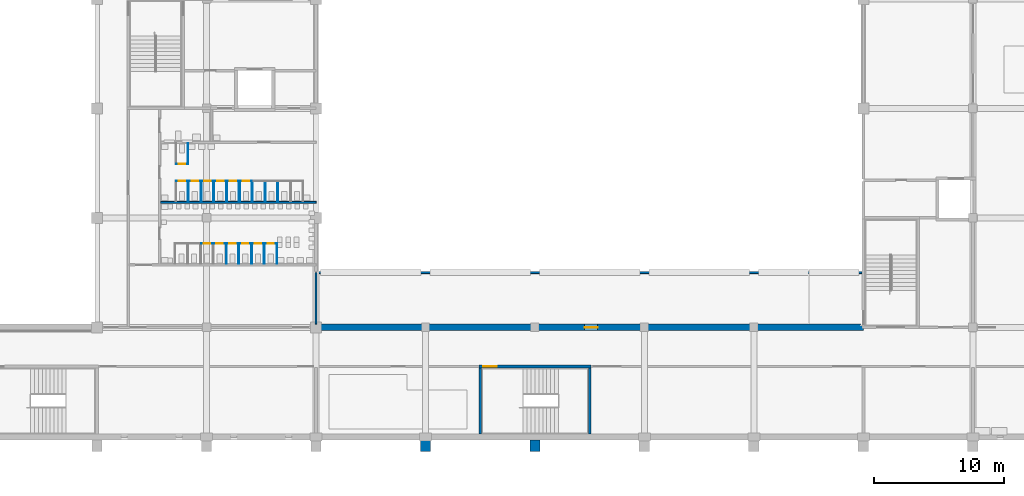
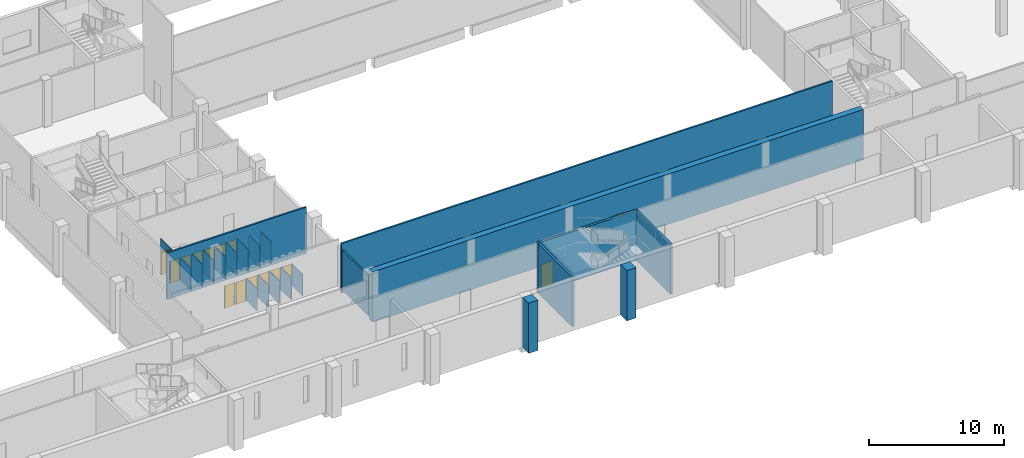
# One storey, part 23 of 64: 47 walls, 15 doors, 15 openings.
"""IFC4 building model written with IfcOpenShell, lengths in metres."""

from ifc_helpers import new_model, si_unit, direction, frame, frame_2d, origin, place, context, subcontext, project, spatial, rectangle, extrude, material, layer, layer_set, type_object, element, fill, save


model = new_model("IFC4")

# Units and contexts
model_context = context("Model", 3, precision=1e-05, world=origin(), true_north=direction((0.0, 1.0)))
body_context = subcontext(model_context, "Body", "Model", "MODEL_VIEW")
ifc_project = project(units=[si_unit("LENGTHUNIT", "METRE"), si_unit("AREAUNIT", "SQUARE_METRE"), si_unit("VOLUMEUNIT", "CUBIC_METRE"), si_unit("PLANEANGLEUNIT", "RADIAN"), si_unit("MASSUNIT", "GRAM", prefix="KILO")], contexts=[model_context])

# Site, building, storey
site_placement = place(None, origin())
site = spatial("IfcSite", under=ifc_project, at=site_placement, CompositionType="ELEMENT")
building_placement = place(site_placement, origin())
building = spatial("IfcBuilding", under=site, at=building_placement, Name="Rulbaag Community and Learning Centre", CompositionType="ELEMENT")
storey_placement = place(building_placement, frame((0.0, 0.0, 5.39990234375)))
storey = spatial("IfcBuildingStorey", under=building, at=storey_placement, Name="L01", CompositionType="ELEMENT", Elevation=5.39990234375)

# Wall, opening, door
ifc_material_1 = material(Name="High pressure laminate", Category="wood")
ifc_layer_1 = layer(ifc_material_1, 0.0400390625)
ifc_layer_set_1 = layer_set([ifc_layer_1], Name="CP-40")
wall_type_1 = type_object("IfcWallType", Name="CP-40", PredefinedType="PARTITIONING", material=ifc_layer_set_1)
wall_1_placement = place(storey_placement, frame((33.179931640625, 14.85009765625, 0.0), z_axis=(0.0, 0.0, 1.0), x_axis=(1.0, 0.0, 0.0)))
wall_1 = element("IfcWall", 1, at=wall_1_placement, inside=storey, type_object=wall_type_1, Name="Cubicle partition", PredefinedType="PARTITIONING", context=body_context, shape_type="SweptSolid", body=[
    extrude(rectangle(XDim=0.900146484375, YDim=0.0400390625, at=frame_2d((0.4501953125, 0.0))), origin(), (0.0, 0.0, 1.0), 2.0),
])
opening_1_placement = place(wall_1_placement, frame((0.050048828125, 0.0, 0.0)))
opening_1 = element("IfcOpeningElement", 2, at=opening_1_placement, cuts=wall_1, Name="Opening L01-D027", PredefinedType="OPENING", context=body_context, shape_type="SweptSolid", body=[
    extrude(rectangle(XDim=0.800048828125, YDim=2.0, at=frame_2d((0.39990234375, 1.0))), frame((0.0, 0.030029296875, 0.0), z_axis=(0.0, -1.0, 0.0), x_axis=(1.0, 0.0, 0.0)), (0.0, 0.0, 1.0), 0.06005859375),
])
door_type_1 = type_object("IfcDoorType", Name="DC-80", OperationType="SINGLE_SWING_LEFT", PredefinedType="DOOR", material=ifc_material_1)
door_1_placement = place(opening_1_placement, origin())
door_1 = element("IfcDoor", 3, at=door_1_placement, inside=storey, type_object=door_type_1, Name="Cubicle door", OperationType="SINGLE_SWING_LEFT", OverallHeight=2.0, OverallWidth=0.800048828125, PredefinedType="DOOR", context=body_context, shape_type="SweptSolid", body=[
    extrude(rectangle(XDim=0.800048828125, YDim=2.0, at=frame_2d((0.39990234375, 1.0))), frame((0.0, 0.019775390625, 0.0), z_axis=(0.0, -1.0, 0.0), x_axis=(1.0, 0.0, 0.0)), (0.0, 0.0, 1.0), 0.03955078125),
])
fill(opening_1, door_1)

wall_2_placement = place(storey_placement, frame((34.159912109375, 14.85009765625, 0.0), z_axis=(0.0, 0.0, 1.0), x_axis=(1.0, 0.0, 0.0)))
wall_2 = element("IfcWall", 4, at=wall_2_placement, inside=storey, type_object=wall_type_1, Name="Cubicle partition", PredefinedType="PARTITIONING", context=body_context, shape_type="SweptSolid", body=[
    extrude(rectangle(XDim=0.900146484375, YDim=0.0400390625, at=frame_2d((0.4501953125, 0.0))), origin(), (0.0, 0.0, 1.0), 2.0),
])
opening_2_placement = place(wall_2_placement, frame((0.050048828125, 0.0, 0.0)))
opening_2 = element("IfcOpeningElement", 5, at=opening_2_placement, cuts=wall_2, Name="Opening L01-D030", PredefinedType="OPENING", context=body_context, shape_type="SweptSolid", body=[
    extrude(rectangle(XDim=0.800048828125, YDim=2.0, at=frame_2d((0.39990234375, 1.0))), frame((0.0, 0.030029296875, 0.0), z_axis=(0.0, -1.0, 0.0), x_axis=(1.0, 0.0, 0.0)), (0.0, 0.0, 1.0), 0.06005859375),
])
door_2_placement = place(opening_2_placement, origin())
door_2 = element("IfcDoor", 6, at=door_2_placement, inside=storey, type_object=door_type_1, Name="Cubicle door", OperationType="SINGLE_SWING_LEFT", OverallHeight=2.0, OverallWidth=0.800048828125, PredefinedType="DOOR", context=body_context, shape_type="SweptSolid", body=[
    extrude(rectangle(XDim=0.800048828125, YDim=2.0, at=frame_2d((0.39990234375, 1.0))), frame((0.0, 0.019775390625, 0.0), z_axis=(0.0, -1.0, 0.0), x_axis=(1.0, 0.0, 0.0)), (0.0, 0.0, 1.0), 0.03955078125),
])
fill(opening_2, door_2)

# Walls
for number, where, z_axis, x_axis, name in (
    (7, (35.1201171875, 13.27490234375, 0.0), (0.0, 0.0, 1.0), (0.0, 1.0, 0.0), "Cubicle partition"),
    (8, (36.06005859375, 13.27490234375, 0.0), (0.0, 0.0, 1.0), (0.0, 1.0, 0.0), "Cubicle partition"),
):
    element("IfcWall", number, at=place(storey_placement, frame(where, z_axis=z_axis, x_axis=x_axis)), inside=storey, type_object=wall_type_1, Name=name, PredefinedType="PARTITIONING", context=body_context, shape_type="SweptSolid", body=[
        extrude(rectangle(XDim=1.59521484375, YDim=0.0400390625, at=frame_2d((0.797607421875, 0.0))), origin(), (0.0, 0.0, 1.0), 2.0),
    ])

# Wall, opening, door
wall_3_placement = place(storey_placement, frame((35.139892578125, 14.85009765625, 0.0), z_axis=(0.0, 0.0, 1.0), x_axis=(1.0, 0.0, 0.0)))
wall_3 = element("IfcWall", 9, at=wall_3_placement, inside=storey, type_object=wall_type_1, Name="Cubicle partition", PredefinedType="PARTITIONING", context=body_context, shape_type="SweptSolid", body=[
    extrude(rectangle(XDim=0.900146484375, YDim=0.0400390625, at=frame_2d((0.4501953125, 0.0))), origin(), (0.0, 0.0, 1.0), 2.0),
])
opening_3_placement = place(wall_3_placement, frame((0.050048828125, 0.0, 0.0)))
opening_3 = element("IfcOpeningElement", 10, at=opening_3_placement, cuts=wall_3, Name="Opening L01-D034", PredefinedType="OPENING", context=body_context, shape_type="SweptSolid", body=[
    extrude(rectangle(XDim=0.800048828125, YDim=2.0, at=frame_2d((0.39990234375, 1.0))), frame((0.0, 0.030029296875, 0.0), z_axis=(0.0, -1.0, 0.0), x_axis=(1.0, 0.0, 0.0)), (0.0, 0.0, 1.0), 0.06005859375),
])
door_3_placement = place(opening_3_placement, origin())
door_3 = element("IfcDoor", 11, at=door_3_placement, inside=storey, type_object=door_type_1, Name="Cubicle door", OperationType="SINGLE_SWING_LEFT", OverallHeight=2.0, OverallWidth=0.800048828125, PredefinedType="DOOR", context=body_context, shape_type="SweptSolid", body=[
    extrude(rectangle(XDim=0.800048828125, YDim=2.0, at=frame_2d((0.39990234375, 1.0))), frame((0.0, 0.019775390625, 0.0), z_axis=(0.0, -1.0, 0.0), x_axis=(1.0, 0.0, 0.0)), (0.0, 0.0, 1.0), 0.03955078125),
])
fill(opening_3, door_3)

# Walls
for number, where, z_axis, x_axis, name in (
    (12, (36.10009765625, 13.27490234375, 0.0), (0.0, 0.0, 1.0), (0.0, 1.0, 0.0), "Cubicle partition"),
    (13, (37.0400390625, 13.27490234375, 0.0), (0.0, 0.0, 1.0), (0.0, 1.0, 0.0), "Cubicle partition"),
):
    element("IfcWall", number, at=place(storey_placement, frame(where, z_axis=z_axis, x_axis=x_axis)), inside=storey, type_object=wall_type_1, Name=name, PredefinedType="PARTITIONING", context=body_context, shape_type="SweptSolid", body=[
        extrude(rectangle(XDim=1.59521484375, YDim=0.0400390625, at=frame_2d((0.797607421875, 0.0))), origin(), (0.0, 0.0, 1.0), 2.0),
    ])

# Wall, opening, door
wall_4_placement = place(storey_placement, frame((36.1201171875, 14.85009765625, 0.0), z_axis=(0.0, 0.0, 1.0), x_axis=(1.0, 0.0, 0.0)))
wall_4 = element("IfcWall", 14, at=wall_4_placement, inside=storey, type_object=wall_type_1, Name="Cubicle partition", PredefinedType="PARTITIONING", context=body_context, shape_type="SweptSolid", body=[
    extrude(rectangle(XDim=0.89990234375, YDim=0.0400390625, at=frame_2d((0.449951171875, 0.0))), origin(), (0.0, 0.0, 1.0), 2.0),
])
opening_4_placement = place(wall_4_placement, frame((0.050048828125, 0.0, 0.0)))
opening_4 = element("IfcOpeningElement", 15, at=opening_4_placement, cuts=wall_4, Name="Opening L01-D036", PredefinedType="OPENING", context=body_context, shape_type="SweptSolid", body=[
    extrude(rectangle(XDim=0.800048828125, YDim=2.0, at=frame_2d((0.39990234375, 1.0))), frame((0.0, 0.030029296875, 0.0), z_axis=(0.0, -1.0, 0.0), x_axis=(1.0, 0.0, 0.0)), (0.0, 0.0, 1.0), 0.06005859375),
])
door_4_placement = place(opening_4_placement, origin())
door_4 = element("IfcDoor", 16, at=door_4_placement, inside=storey, type_object=door_type_1, Name="Cubicle door", OperationType="SINGLE_SWING_LEFT", OverallHeight=2.0, OverallWidth=0.800048828125, PredefinedType="DOOR", context=body_context, shape_type="SweptSolid", body=[
    extrude(rectangle(XDim=0.800048828125, YDim=2.0, at=frame_2d((0.39990234375, 1.0))), frame((0.0, 0.019775390625, 0.0), z_axis=(0.0, -1.0, 0.0), x_axis=(1.0, 0.0, 0.0)), (0.0, 0.0, 1.0), 0.03955078125),
])
fill(opening_4, door_4)

# Walls
for number, where, z_axis, x_axis, name in (
    (17, (37.080078125, 13.27490234375, 0.0), (0.0, 0.0, 1.0), (0.0, 1.0, 0.0), "Cubicle partition"),
    (18, (38.02001953125, 13.27490234375, 0.0), (0.0, 0.0, 1.0), (0.0, 1.0, 0.0), "Cubicle partition"),
):
    element("IfcWall", number, at=place(storey_placement, frame(where, z_axis=z_axis, x_axis=x_axis)), inside=storey, type_object=wall_type_1, Name=name, PredefinedType="PARTITIONING", context=body_context, shape_type="SweptSolid", body=[
        extrude(rectangle(XDim=1.59521484375, YDim=0.0400390625, at=frame_2d((0.797607421875, 0.0))), origin(), (0.0, 0.0, 1.0), 2.0),
    ])

# Wall, opening, door
wall_5_placement = place(storey_placement, frame((37.10009765625, 14.85009765625, 0.0), z_axis=(0.0, 0.0, 1.0), x_axis=(1.0, 0.0, 0.0)))
wall_5 = element("IfcWall", 19, at=wall_5_placement, inside=storey, type_object=wall_type_1, Name="Cubicle partition", PredefinedType="PARTITIONING", context=body_context, shape_type="SweptSolid", body=[
    extrude(rectangle(XDim=0.89990234375, YDim=0.0400390625, at=frame_2d((0.449951171875, 0.0))), origin(), (0.0, 0.0, 1.0), 2.0),
])
opening_5_placement = place(wall_5_placement, frame((0.050048828125, 0.0, 0.0)))
opening_5 = element("IfcOpeningElement", 20, at=opening_5_placement, cuts=wall_5, Name="Opening L01-D040", PredefinedType="OPENING", context=body_context, shape_type="SweptSolid", body=[
    extrude(rectangle(XDim=0.800048828125, YDim=2.0, at=frame_2d((0.39990234375, 1.0))), frame((0.0, 0.030029296875, 0.0), z_axis=(0.0, -1.0, 0.0), x_axis=(1.0, 0.0, 0.0)), (0.0, 0.0, 1.0), 0.06005859375),
])
door_5_placement = place(opening_5_placement, origin())
door_5 = element("IfcDoor", 21, at=door_5_placement, inside=storey, type_object=door_type_1, Name="Cubicle door", OperationType="SINGLE_SWING_LEFT", OverallHeight=2.0, OverallWidth=0.800048828125, PredefinedType="DOOR", context=body_context, shape_type="SweptSolid", body=[
    extrude(rectangle(XDim=0.800048828125, YDim=2.0, at=frame_2d((0.39990234375, 1.0))), frame((0.0, 0.019775390625, 0.0), z_axis=(0.0, -1.0, 0.0), x_axis=(1.0, 0.0, 0.0)), (0.0, 0.0, 1.0), 0.03955078125),
])
fill(opening_5, door_5)

# Walls
for number, where, z_axis, x_axis, name in (
    (22, (38.06005859375, 13.27490234375, 0.0), (0.0, 0.0, 1.0), (0.0, 1.0, 0.0), "Cubicle partition"),
    (23, (39.0, 13.27490234375, 0.0), (0.0, 0.0, 1.0), (0.0, 1.0, 0.0), "Cubicle partition"),
):
    element("IfcWall", number, at=place(storey_placement, frame(where, z_axis=z_axis, x_axis=x_axis)), inside=storey, type_object=wall_type_1, Name=name, PredefinedType="PARTITIONING", context=body_context, shape_type="SweptSolid", body=[
        extrude(rectangle(XDim=1.59521484375, YDim=0.0400390625, at=frame_2d((0.797607421875, 0.0))), origin(), (0.0, 0.0, 1.0), 2.0),
    ])

# Wall, opening, door
wall_6_placement = place(storey_placement, frame((38.080078125, 14.85009765625, 0.0), z_axis=(0.0, 0.0, 1.0), x_axis=(1.0, 0.0, 0.0)))
wall_6 = element("IfcWall", 24, at=wall_6_placement, inside=storey, type_object=wall_type_1, Name="Cubicle partition", PredefinedType="PARTITIONING", context=body_context, shape_type="SweptSolid", body=[
    extrude(rectangle(XDim=0.89990234375, YDim=0.0400390625, at=frame_2d((0.449951171875, 0.0))), origin(), (0.0, 0.0, 1.0), 2.0),
])
opening_6_placement = place(wall_6_placement, frame((0.050048828125, 0.0, 0.0)))
opening_6 = element("IfcOpeningElement", 25, at=opening_6_placement, cuts=wall_6, Name="Opening L01-D044", PredefinedType="OPENING", context=body_context, shape_type="SweptSolid", body=[
    extrude(rectangle(XDim=0.800048828125, YDim=2.0, at=frame_2d((0.39990234375, 1.0))), frame((0.0, 0.030029296875, 0.0), z_axis=(0.0, -1.0, 0.0), x_axis=(1.0, 0.0, 0.0)), (0.0, 0.0, 1.0), 0.06005859375),
])
door_6_placement = place(opening_6_placement, origin())
door_6 = element("IfcDoor", 26, at=door_6_placement, inside=storey, type_object=door_type_1, Name="Cubicle door", OperationType="SINGLE_SWING_LEFT", OverallHeight=2.0, OverallWidth=0.800048828125, PredefinedType="DOOR", context=body_context, shape_type="SweptSolid", body=[
    extrude(rectangle(XDim=0.800048828125, YDim=2.0, at=frame_2d((0.39990234375, 1.0))), frame((0.0, 0.019775390625, 0.0), z_axis=(0.0, -1.0, 0.0), x_axis=(1.0, 0.0, 0.0)), (0.0, 0.0, 1.0), 0.03955078125),
])
fill(opening_6, door_6)

# Wall
wall_7_placement = place(storey_placement, frame((32.18994140625, 18.074951171875, 0.0), z_axis=(0.0, 0.0, 1.0), x_axis=(0.0, 1.0, 0.0)))
element("IfcWall", 27, at=wall_7_placement, inside=storey, type_object=wall_type_1, Name="Cubicle partition", PredefinedType="PARTITIONING", context=body_context, shape_type="SweptSolid", body=[
    extrude(rectangle(XDim=1.594970703125, YDim=0.0400390625, at=frame_2d((0.79736328125, 0.0))), origin(), (0.0, 0.0, 1.0), 2.0),
])

# Wall, opening, door
wall_8_placement = place(storey_placement, frame((31.27001953125, 19.64990234375, 0.0), z_axis=(0.0, 0.0, 1.0), x_axis=(1.0, 0.0, 0.0)))
wall_8 = element("IfcWall", 28, at=wall_8_placement, inside=storey, type_object=wall_type_1, Name="Cubicle partition", PredefinedType="PARTITIONING", context=body_context, shape_type="SweptSolid", body=[
    extrude(rectangle(XDim=0.89990234375, YDim=0.0400390625, at=frame_2d((0.449951171875, 0.0))), origin(), (0.0, 0.0, 1.0), 2.0),
])
opening_7_placement = place(wall_8_placement, frame((0.050048828125, 0.0, 0.0)))
opening_7 = element("IfcOpeningElement", 29, at=opening_7_placement, cuts=wall_8, Name="Opening L01-D022", PredefinedType="OPENING", context=body_context, shape_type="SweptSolid", body=[
    extrude(rectangle(XDim=0.800048828125, YDim=2.0, at=frame_2d((0.39990234375, 1.0))), frame((0.0, 0.030029296875, 0.0), z_axis=(0.0, -1.0, 0.0), x_axis=(1.0, 0.0, 0.0)), (0.0, 0.0, 1.0), 0.06005859375),
])
door_7_placement = place(opening_7_placement, origin())
door_7 = element("IfcDoor", 30, at=door_7_placement, inside=storey, type_object=door_type_1, Name="Cubicle door", OperationType="SINGLE_SWING_LEFT", OverallHeight=2.0, OverallWidth=0.800048828125, PredefinedType="DOOR", context=body_context, shape_type="SweptSolid", body=[
    extrude(rectangle(XDim=0.800048828125, YDim=2.0, at=frame_2d((0.39990234375, 1.0))), frame((0.0, 0.019775390625, 0.0), z_axis=(0.0, -1.0, 0.0), x_axis=(1.0, 0.0, 0.0)), (0.0, 0.0, 1.0), 0.03955078125),
])
fill(opening_7, door_7)

# Walls
for number, where, z_axis, x_axis, name in (
    (31, (32.22998046875, 18.074951171875, 0.0), (0.0, 0.0, 1.0), (0.0, 1.0, 0.0), "Cubicle partition"),
    (32, (33.169921875, 18.074951171875, 0.0), (0.0, 0.0, 1.0), (0.0, 1.0, 0.0), "Cubicle partition"),
):
    element("IfcWall", number, at=place(storey_placement, frame(where, z_axis=z_axis, x_axis=x_axis)), inside=storey, type_object=wall_type_1, Name=name, PredefinedType="PARTITIONING", context=body_context, shape_type="SweptSolid", body=[
        extrude(rectangle(XDim=1.594970703125, YDim=0.0400390625, at=frame_2d((0.79736328125, 0.0))), origin(), (0.0, 0.0, 1.0), 2.0),
    ])

# Wall, opening, door
wall_9_placement = place(storey_placement, frame((32.25, 19.64990234375, 0.0), z_axis=(0.0, 0.0, 1.0), x_axis=(1.0, 0.0, 0.0)))
wall_9 = element("IfcWall", 33, at=wall_9_placement, inside=storey, type_object=wall_type_1, Name="Cubicle partition", PredefinedType="PARTITIONING", context=body_context, shape_type="SweptSolid", body=[
    extrude(rectangle(XDim=0.89990234375, YDim=0.0400390625, at=frame_2d((0.449951171875, 0.0))), origin(), (0.0, 0.0, 1.0), 2.0),
])
opening_8_placement = place(wall_9_placement, frame((0.050048828125, 0.0, 0.0)))
opening_8 = element("IfcOpeningElement", 34, at=opening_8_placement, cuts=wall_9, Name="Opening L01-D026", PredefinedType="OPENING", context=body_context, shape_type="SweptSolid", body=[
    extrude(rectangle(XDim=0.800048828125, YDim=2.0, at=frame_2d((0.39990234375, 1.0))), frame((0.0, 0.030029296875, 0.0), z_axis=(0.0, -1.0, 0.0), x_axis=(1.0, 0.0, 0.0)), (0.0, 0.0, 1.0), 0.06005859375),
])
door_8_placement = place(opening_8_placement, origin())
door_8 = element("IfcDoor", 35, at=door_8_placement, inside=storey, type_object=door_type_1, Name="Cubicle door", OperationType="SINGLE_SWING_LEFT", OverallHeight=2.0, OverallWidth=0.800048828125, PredefinedType="DOOR", context=body_context, shape_type="SweptSolid", body=[
    extrude(rectangle(XDim=0.800048828125, YDim=2.0, at=frame_2d((0.39990234375, 1.0))), frame((0.0, 0.019775390625, 0.0), z_axis=(0.0, -1.0, 0.0), x_axis=(1.0, 0.0, 0.0)), (0.0, 0.0, 1.0), 0.03955078125),
])
fill(opening_8, door_8)

# Walls
for number, where, z_axis, x_axis, name in (
    (36, (33.2099609375, 18.074951171875, 0.0), (0.0, 0.0, 1.0), (0.0, 1.0, 0.0), "Cubicle partition"),
    (37, (34.14990234375, 18.074951171875, 0.0), (0.0, 0.0, 1.0), (0.0, 1.0, 0.0), "Cubicle partition"),
):
    element("IfcWall", number, at=place(storey_placement, frame(where, z_axis=z_axis, x_axis=x_axis)), inside=storey, type_object=wall_type_1, Name=name, PredefinedType="PARTITIONING", context=body_context, shape_type="SweptSolid", body=[
        extrude(rectangle(XDim=1.594970703125, YDim=0.0400390625, at=frame_2d((0.79736328125, 0.0))), origin(), (0.0, 0.0, 1.0), 2.0),
    ])

# Wall, opening, door
wall_10_placement = place(storey_placement, frame((33.22998046875, 19.64990234375, 0.0), z_axis=(0.0, 0.0, 1.0), x_axis=(1.0, 0.0, 0.0)))
wall_10 = element("IfcWall", 38, at=wall_10_placement, inside=storey, type_object=wall_type_1, Name="Cubicle partition", PredefinedType="PARTITIONING", context=body_context, shape_type="SweptSolid", body=[
    extrude(rectangle(XDim=0.89990234375, YDim=0.0400390625, at=frame_2d((0.449951171875, 0.0))), origin(), (0.0, 0.0, 1.0), 2.0),
])
opening_9_placement = place(wall_10_placement, frame((0.050048828125, 0.0, 0.0)))
opening_9 = element("IfcOpeningElement", 39, at=opening_9_placement, cuts=wall_10, Name="Opening L01-D028", PredefinedType="OPENING", context=body_context, shape_type="SweptSolid", body=[
    extrude(rectangle(XDim=0.800048828125, YDim=2.0, at=frame_2d((0.39990234375, 1.0))), frame((0.0, 0.030029296875, 0.0), z_axis=(0.0, -1.0, 0.0), x_axis=(1.0, 0.0, 0.0)), (0.0, 0.0, 1.0), 0.06005859375),
])
door_9_placement = place(opening_9_placement, origin())
door_9 = element("IfcDoor", 40, at=door_9_placement, inside=storey, type_object=door_type_1, Name="Cubicle door", OperationType="SINGLE_SWING_LEFT", OverallHeight=2.0, OverallWidth=0.800048828125, PredefinedType="DOOR", context=body_context, shape_type="SweptSolid", body=[
    extrude(rectangle(XDim=0.800048828125, YDim=2.0, at=frame_2d((0.39990234375, 1.0))), frame((0.0, 0.019775390625, 0.0), z_axis=(0.0, -1.0, 0.0), x_axis=(1.0, 0.0, 0.0)), (0.0, 0.0, 1.0), 0.03955078125),
])
fill(opening_9, door_9)

# Walls
for number, where, z_axis, x_axis, name in (
    (41, (34.18994140625, 18.074951171875, 0.0), (0.0, 0.0, 1.0), (0.0, 1.0, 0.0), "Cubicle partition"),
    (42, (35.1298828125, 18.074951171875, 0.0), (0.0, 0.0, 1.0), (0.0, 1.0, 0.0), "Cubicle partition"),
):
    element("IfcWall", number, at=place(storey_placement, frame(where, z_axis=z_axis, x_axis=x_axis)), inside=storey, type_object=wall_type_1, Name=name, PredefinedType="PARTITIONING", context=body_context, shape_type="SweptSolid", body=[
        extrude(rectangle(XDim=1.594970703125, YDim=0.0400390625, at=frame_2d((0.79736328125, 0.0))), origin(), (0.0, 0.0, 1.0), 2.0),
    ])

# Wall, opening, door
wall_11_placement = place(storey_placement, frame((34.2099609375, 19.64990234375, 0.0), z_axis=(0.0, 0.0, 1.0), x_axis=(1.0, 0.0, 0.0)))
wall_11 = element("IfcWall", 43, at=wall_11_placement, inside=storey, type_object=wall_type_1, Name="Cubicle partition", PredefinedType="PARTITIONING", context=body_context, shape_type="SweptSolid", body=[
    extrude(rectangle(XDim=0.900146484375, YDim=0.0400390625, at=frame_2d((0.4501953125, 0.0))), origin(), (0.0, 0.0, 1.0), 2.0),
])
opening_10_placement = place(wall_11_placement, frame((0.050048828125, 0.0, 0.0)))
opening_10 = element("IfcOpeningElement", 44, at=opening_10_placement, cuts=wall_11, Name="Opening L01-D031", PredefinedType="OPENING", context=body_context, shape_type="SweptSolid", body=[
    extrude(rectangle(XDim=0.800048828125, YDim=2.0, at=frame_2d((0.39990234375, 1.0))), frame((0.0, 0.030029296875, 0.0), z_axis=(0.0, -1.0, 0.0), x_axis=(1.0, 0.0, 0.0)), (0.0, 0.0, 1.0), 0.06005859375),
])
door_10_placement = place(opening_10_placement, origin())
door_10 = element("IfcDoor", 45, at=door_10_placement, inside=storey, type_object=door_type_1, Name="Cubicle door", OperationType="SINGLE_SWING_LEFT", OverallHeight=2.0, OverallWidth=0.800048828125, PredefinedType="DOOR", context=body_context, shape_type="SweptSolid", body=[
    extrude(rectangle(XDim=0.800048828125, YDim=2.0, at=frame_2d((0.39990234375, 1.0))), frame((0.0, 0.019775390625, 0.0), z_axis=(0.0, -1.0, 0.0), x_axis=(1.0, 0.0, 0.0)), (0.0, 0.0, 1.0), 0.03955078125),
])
fill(opening_10, door_10)

# Walls
for number, where, z_axis, x_axis, name in (
    (46, (35.169921875, 18.074951171875, 0.0), (0.0, 0.0, 1.0), (0.0, 1.0, 0.0), "Cubicle partition"),
    (47, (36.110107421875, 18.074951171875, 0.0), (0.0, 0.0, 1.0), (0.0, 1.0, 0.0), "Cubicle partition"),
):
    element("IfcWall", number, at=place(storey_placement, frame(where, z_axis=z_axis, x_axis=x_axis)), inside=storey, type_object=wall_type_1, Name=name, PredefinedType="PARTITIONING", context=body_context, shape_type="SweptSolid", body=[
        extrude(rectangle(XDim=1.594970703125, YDim=0.0400390625, at=frame_2d((0.79736328125, 0.0))), origin(), (0.0, 0.0, 1.0), 2.0),
    ])

# Wall, opening, door
wall_12_placement = place(storey_placement, frame((35.18994140625, 19.64990234375, 0.0), z_axis=(0.0, 0.0, 1.0), x_axis=(1.0, 0.0, 0.0)))
wall_12 = element("IfcWall", 48, at=wall_12_placement, inside=storey, type_object=wall_type_1, Name="Cubicle partition", PredefinedType="PARTITIONING", context=body_context, shape_type="SweptSolid", body=[
    extrude(rectangle(XDim=0.900146484375, YDim=0.0400390625, at=frame_2d((0.4501953125, 0.0))), origin(), (0.0, 0.0, 1.0), 2.0),
])
opening_11_placement = place(wall_12_placement, frame((0.050048828125, 0.0, 0.0)))
opening_11 = element("IfcOpeningElement", 49, at=opening_11_placement, cuts=wall_12, Name="Opening L01-D035", PredefinedType="OPENING", context=body_context, shape_type="SweptSolid", body=[
    extrude(rectangle(XDim=0.800048828125, YDim=2.0, at=frame_2d((0.39990234375, 1.0))), frame((0.0, 0.030029296875, 0.0), z_axis=(0.0, -1.0, 0.0), x_axis=(1.0, 0.0, 0.0)), (0.0, 0.0, 1.0), 0.06005859375),
])
door_11_placement = place(opening_11_placement, origin())
door_11 = element("IfcDoor", 50, at=door_11_placement, inside=storey, type_object=door_type_1, Name="Cubicle door", OperationType="SINGLE_SWING_LEFT", OverallHeight=2.0, OverallWidth=0.800048828125, PredefinedType="DOOR", context=body_context, shape_type="SweptSolid", body=[
    extrude(rectangle(XDim=0.800048828125, YDim=2.0, at=frame_2d((0.39990234375, 1.0))), frame((0.0, 0.019775390625, 0.0), z_axis=(0.0, -1.0, 0.0), x_axis=(1.0, 0.0, 0.0)), (0.0, 0.0, 1.0), 0.03955078125),
])
fill(opening_11, door_11)

# Walls
for number, where, z_axis, x_axis, name in (
    (51, (36.14990234375, 18.074951171875, 0.0), (0.0, 0.0, 1.0), (0.0, 1.0, 0.0), "Cubicle partition"),
    (52, (37.090087890625, 18.074951171875, 0.0), (0.0, 0.0, 1.0), (0.0, 1.0, 0.0), "Cubicle partition"),
):
    element("IfcWall", number, at=place(storey_placement, frame(where, z_axis=z_axis, x_axis=x_axis)), inside=storey, type_object=wall_type_1, Name=name, PredefinedType="PARTITIONING", context=body_context, shape_type="SweptSolid", body=[
        extrude(rectangle(XDim=1.594970703125, YDim=0.0400390625, at=frame_2d((0.79736328125, 0.0))), origin(), (0.0, 0.0, 1.0), 2.0),
    ])

# Wall, opening, door
wall_13_placement = place(storey_placement, frame((36.169921875, 19.64990234375, 0.0), z_axis=(0.0, 0.0, 1.0), x_axis=(1.0, 0.0, 0.0)))
wall_13 = element("IfcWall", 53, at=wall_13_placement, inside=storey, type_object=wall_type_1, Name="Cubicle partition", PredefinedType="PARTITIONING", context=body_context, shape_type="SweptSolid", body=[
    extrude(rectangle(XDim=0.900146484375, YDim=0.0400390625, at=frame_2d((0.4501953125, 0.0))), origin(), (0.0, 0.0, 1.0), 2.0),
])
opening_12_placement = place(wall_13_placement, frame((0.050048828125, 0.0, 0.0)))
opening_12 = element("IfcOpeningElement", 54, at=opening_12_placement, cuts=wall_13, Name="Opening L01-D037", PredefinedType="OPENING", context=body_context, shape_type="SweptSolid", body=[
    extrude(rectangle(XDim=0.800048828125, YDim=2.0, at=frame_2d((0.39990234375, 1.0))), frame((0.0, 0.030029296875, 0.0), z_axis=(0.0, -1.0, 0.0), x_axis=(1.0, 0.0, 0.0)), (0.0, 0.0, 1.0), 0.06005859375),
])
door_12_placement = place(opening_12_placement, origin())
door_12 = element("IfcDoor", 55, at=door_12_placement, inside=storey, type_object=door_type_1, Name="Cubicle door", OperationType="SINGLE_SWING_LEFT", OverallHeight=2.0, OverallWidth=0.800048828125, PredefinedType="DOOR", context=body_context, shape_type="SweptSolid", body=[
    extrude(rectangle(XDim=0.800048828125, YDim=2.0, at=frame_2d((0.39990234375, 1.0))), frame((0.0, 0.019775390625, 0.0), z_axis=(0.0, -1.0, 0.0), x_axis=(1.0, 0.0, 0.0)), (0.0, 0.0, 1.0), 0.03955078125),
])
fill(opening_12, door_12)

# Walls
for number, where, z_axis, x_axis, name in (
    (56, (37.1298828125, 18.074951171875, 0.0), (0.0, 0.0, 1.0), (0.0, 1.0, 0.0), "Cubicle partition"),
    (57, (38.070068359375, 18.074951171875, 0.0), (0.0, 0.0, 1.0), (0.0, 1.0, 0.0), "Cubicle partition"),
    (58, (38.110107421875, 18.074951171875, 0.0), (0.0, 0.0, 1.0), (0.0, 1.0, 0.0), "Cubicle partition"),
    (59, (39.050048828125, 18.074951171875, 0.0), (0.0, 0.0, 1.0), (0.0, 1.0, 0.0), "Cubicle partition"),
    (60, (39.090087890625, 18.074951171875, 0.0), (0.0, 0.0, 1.0), (0.0, 1.0, 0.0), "Cubicle partition"),
    (61, (32.18994140625, 22.52490234375, 0.0), (0.0, 0.0, 1.0), (0.0, -1.0, 0.0), "Cubicle partition"),
):
    element("IfcWall", number, at=place(storey_placement, frame(where, z_axis=z_axis, x_axis=x_axis)), inside=storey, type_object=wall_type_1, Name=name, PredefinedType="PARTITIONING", context=body_context, shape_type="SweptSolid", body=[
        extrude(rectangle(XDim=1.594970703125, YDim=0.0400390625, at=frame_2d((0.79736328125, 0.0))), origin(), (0.0, 0.0, 1.0), 2.0),
    ])

# Wall, opening, door
wall_14_placement = place(storey_placement, frame((31.27001953125, 20.949951171875, 0.0), z_axis=(0.0, 0.0, 1.0), x_axis=(1.0, 0.0, 0.0)))
wall_14 = element("IfcWall", 62, at=wall_14_placement, inside=storey, type_object=wall_type_1, Name="Cubicle partition", PredefinedType="PARTITIONING", context=body_context, shape_type="SweptSolid", body=[
    extrude(rectangle(XDim=0.89990234375, YDim=0.0400390625, at=frame_2d((0.449951171875, 0.0))), origin(), (0.0, 0.0, 1.0), 2.0),
])
opening_13_placement = place(wall_14_placement, frame((0.050048828125, 0.0, 0.0)))
opening_13 = element("IfcOpeningElement", 63, at=opening_13_placement, cuts=wall_14, Name="Opening L01-D023", PredefinedType="OPENING", context=body_context, shape_type="SweptSolid", body=[
    extrude(rectangle(XDim=0.800048828125, YDim=2.0, at=frame_2d((0.39990234375, 1.0))), frame((0.0, 0.030029296875, 0.0), z_axis=(0.0, -1.0, 0.0), x_axis=(1.0, 0.0, 0.0)), (0.0, 0.0, 1.0), 0.06005859375),
])
door_13_placement = place(opening_13_placement, origin())
door_13 = element("IfcDoor", 64, at=door_13_placement, inside=storey, type_object=door_type_1, Name="Cubicle door", OperationType="SINGLE_SWING_LEFT", OverallHeight=2.0, OverallWidth=0.800048828125, PredefinedType="DOOR", context=body_context, shape_type="SweptSolid", body=[
    extrude(rectangle(XDim=0.800048828125, YDim=2.0, at=frame_2d((0.39990234375, 1.0))), frame((0.0, 0.019775390625, 0.0), z_axis=(0.0, -1.0, 0.0), x_axis=(1.0, 0.0, 0.0)), (0.0, 0.0, 1.0), 0.03955078125),
])
fill(opening_13, door_13)

# Walls
ifc_material_2 = material(Name="Concrete M40", Category="concrete")
ifc_layer_2 = layer(ifc_material_2, 0.800048828125)
ifc_layer_set_2 = layer_set([ifc_layer_2], Name="EW-BTR")
wall_type_2 = type_object("IfcWallType", Name="EW-BTR", PredefinedType="SOLIDWALL", material=ifc_layer_set_2)
for number, where, z_axis, x_axis, name in (
    (65, (50.39990234375, -0.22509765625, -0.2998046875), (0.0, 0.0, 1.0), (0.0, -1.0, 0.0), "Buttress pier"),
    (66, (58.800048828125, -0.22509765625, -0.2998046875), (0.0, 0.0, 1.0), (0.0, -1.0, 0.0), "Buttress pier"),
):
    element("IfcWall", number, at=place(storey_placement, frame(where, z_axis=z_axis, x_axis=x_axis)), inside=storey, type_object=wall_type_2, Name=name, PredefinedType="SOLIDWALL", context=body_context, shape_type="SweptSolid", body=[
        extrude(rectangle(XDim=0.89990234375, YDim=0.800048828125, at=frame_2d((0.449951171875, 0.0))), origin(), (0.0, 0.0, 1.0), 4.5498046875),
    ])
ifc_material_3 = material(Name="Concrete blockwork", Category="masonry")
ifc_layer_3 = layer(ifc_material_3, 0.14990234375)
ifc_layer_set_3 = layer_set([ifc_layer_3], Name="IP-150 PARTITION 150")
wall_type_3 = type_object("IfcWallType", Name="IP-150 PARTITION 150", PredefinedType="PARTITIONING", material=ifc_layer_set_3)
wall_15_placement = place(storey_placement, frame((41.875, 12.60009765625, -0.2998046875), z_axis=(0.0, 0.0, 1.0), x_axis=(1.0, 0.0, 0.0)))
element("IfcWall", 67, at=wall_15_placement, inside=storey, type_object=wall_type_3, Name="Partition L01 9", PredefinedType="PARTITIONING", context=body_context, shape_type="SweptSolid", body=[
    extrude(rectangle(XDim=42.02490234375, YDim=0.14990234375, at=frame_2d((21.012451171875, 0.0))), origin(), (0.0, 0.0, 1.0), 4.5),
])
wall_16_placement = place(storey_placement, frame((30.074951171875, 18.0, 0.0), z_axis=(0.0, 0.0, 1.0), x_axis=(1.0, 0.0, 0.0)))
element("IfcWall", 68, at=wall_16_placement, inside=storey, type_object=wall_type_3, Name="Partition L01 10", PredefinedType="PARTITIONING", context=body_context, shape_type="SweptSolid", body=[
    extrude(rectangle(XDim=11.925048828125, YDim=0.14990234375, at=frame_2d((5.96240234375, 0.0))), origin(), (0.0, 0.0, 1.0), 4.2001953125),
])
wall_17_placement = place(storey_placement, frame((42.0, 8.64990234375, 0.0), z_axis=(0.0, 0.0, 1.0), x_axis=(0.0, 1.0, 0.0)))
element("IfcWall", 69, at=wall_17_placement, inside=storey, type_object=wall_type_3, Name="Partition L01 56", PredefinedType="PARTITIONING", context=body_context, shape_type="SweptSolid", body=[
    extrude(rectangle(XDim=3.9501953125, YDim=0.14990234375, at=frame_2d((1.97509765625, 0.0))), origin(), (0.0, 0.0, 1.0), 3.60009765625),
])

# Wall, opening, door
ifc_layer_4 = layer(ifc_material_2, 0.5)
ifc_layer_set_4 = layer_set([ifc_layer_4], Name="W13 Shear wall 500 Concrete M40")
wall_type_4 = type_object("IfcWallType", Name="W13 Shear wall 500 Concrete M40", PredefinedType="SHEAR", material=ifc_layer_set_4)
wall_18_placement = place(storey_placement, frame((42.0, 8.39990234375, -0.2998046875), z_axis=(0.0, 0.0, 1.0), x_axis=(1.0, 0.0, 0.0)))
wall_18 = element("IfcWall", 70, at=wall_18_placement, inside=storey, type_object=wall_type_4, Name="WL-XMS-L01", PredefinedType="SHEAR", context=body_context, shape_type="SweptSolid", body=[
    extrude(rectangle(XDim=42.0, YDim=0.5, at=frame_2d((21.0, 0.0))), origin(), (0.0, 0.0, 1.0), 4.5498046875),
])
opening_14_placement = place(wall_18_placement, frame((20.60009765625, 0.0, 0.300048828125)))
opening_14 = element("IfcOpeningElement", 71, at=opening_14_placement, cuts=wall_18, Name="Opening L01-D055", PredefinedType="OPENING", context=body_context, shape_type="SweptSolid", body=[
    extrude(rectangle(XDim=1.0, YDim=2.10009765625, at=frame_2d((0.5, 1.050048828125))), frame((0.0, 0.260009765625, 0.0), z_axis=(0.0, -1.0, 0.0), x_axis=(1.0, 0.0, 0.0)), (0.0, 0.0, 1.0), 0.52001953125),
])
ifc_material_4 = material(Name="Timber", Category="wood")
door_type_2 = type_object("IfcDoorType", Name="D-1000 DOOR 1000 x 2100", OperationType="SINGLE_SWING_LEFT", PredefinedType="DOOR", material=ifc_material_4)
door_14_placement = place(opening_14_placement, origin())
door_14 = element("IfcDoor", 72, at=door_14_placement, inside=storey, type_object=door_type_2, Name="Door L01-D055", OperationType="SINGLE_SWING_LEFT", OverallHeight=2.10009765625, OverallWidth=1.0, PredefinedType="DOOR", context=body_context, shape_type="SweptSolid", body=[
    extrude(rectangle(XDim=1.0, YDim=2.10009765625, at=frame_2d((0.5, 1.050048828125))), frame((0.0, 0.02490234375, 0.0), z_axis=(0.0, -1.0, 0.0), x_axis=(1.0, 0.0, 0.0)), (0.0, 0.0, 1.0), 0.050048828125),
])
fill(opening_14, door_14)

ifc_layer_5 = layer(ifc_material_2, 0.199951171875)
ifc_layer_set_5 = layer_set([ifc_layer_5], Name="WSE Stair enclosure wall 200 Concrete M40")
wall_type_5 = type_object("IfcWallType", Name="WSE Stair enclosure wall 200 Concrete M40", PredefinedType="SHEAR", material=ifc_layer_set_5)
wall_19_placement = place(storey_placement, frame((54.5, 5.39990234375, -0.2998046875), z_axis=(0.0, 0.0, 1.0), x_axis=(1.0, 0.0, 0.0)))
wall_19 = element("IfcWall", 73, at=wall_19_placement, inside=storey, type_object=wall_type_5, Name="Stair enclosure wall SH8 N L01", PredefinedType="SHEAR", context=body_context, shape_type="SweptSolid", body=[
    extrude(rectangle(XDim=8.60009765625, YDim=0.199951171875, at=frame_2d((4.300048828125, 0.0))), origin(), (0.0, 0.0, 1.0), 4.5),
])
opening_15_placement = place(wall_19_placement, frame((0.35009765625, 0.0, 0.300048828125)))
opening_15 = element("IfcOpeningElement", 74, at=opening_15_placement, cuts=wall_19, Name="Opening L01-D054", PredefinedType="OPENING", context=body_context, shape_type="SweptSolid", body=[
    extrude(rectangle(XDim=1.0, YDim=2.10009765625, at=frame_2d((0.5, 1.050048828125))), frame((0.0, 0.10986328125, 0.0), z_axis=(0.0, -1.0, 0.0), x_axis=(1.0, 0.0, 0.0)), (0.0, 0.0, 1.0), 0.219970703125),
])
ifc_material_5 = material(Name="Galvanised steel", Category="steel")
door_type_3 = type_object("IfcDoorType", Name="FD-1000 FIRE DOOR 1000 x 2100", OperationType="SINGLE_SWING_LEFT", PredefinedType="DOOR", material=ifc_material_5)
door_15_placement = place(opening_15_placement, origin())
door_15 = element("IfcDoor", 75, at=door_15_placement, inside=storey, type_object=door_type_3, Name="Door L01-D054", OperationType="SINGLE_SWING_LEFT", OverallHeight=2.10009765625, OverallWidth=1.0, PredefinedType="DOOR", context=body_context, shape_type="SweptSolid", body=[
    extrude(rectangle(XDim=1.0, YDim=2.10009765625, at=frame_2d((0.5, 1.050048828125))), frame((0.0, 0.02490234375, 0.0), z_axis=(0.0, -1.0, 0.0), x_axis=(1.0, 0.0, 0.0)), (0.0, 0.0, 1.0), 0.050048828125),
])
fill(opening_15, door_15)

# Walls
for number, where, z_axis, x_axis, name in (
    (76, (54.60009765625, 0.22509765625, -0.2998046875), (0.0, 0.0, 1.0), (0.0, 1.0, 0.0), "Stair enclosure wall SH8 W L01"),
    (77, (63.0, 0.22509765625, -0.2998046875), (0.0, 0.0, 1.0), (0.0, 1.0, 0.0), "Stair enclosure wall SH8 E L01"),
):
    element("IfcWall", number, at=place(storey_placement, frame(where, z_axis=z_axis, x_axis=x_axis)), inside=storey, type_object=wall_type_5, Name=name, PredefinedType="SHEAR", context=body_context, shape_type="SweptSolid", body=[
        extrude(rectangle(XDim=5.074951171875, YDim=0.199951171875, at=frame_2d((2.53759765625, 0.0))), origin(), (0.0, 0.0, 1.0), 4.5),
    ])

save(model, "model.ifc")
